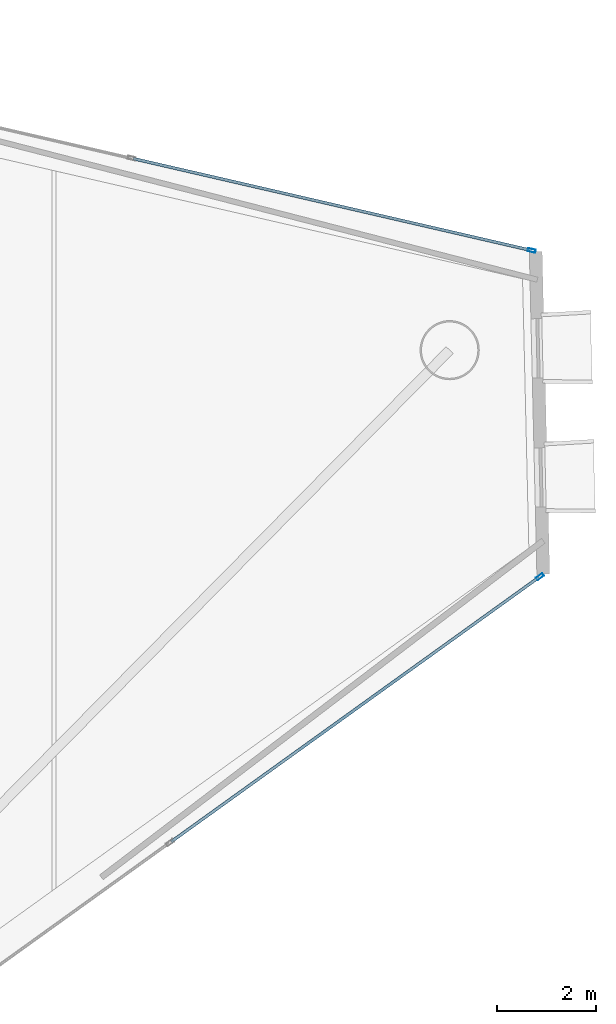
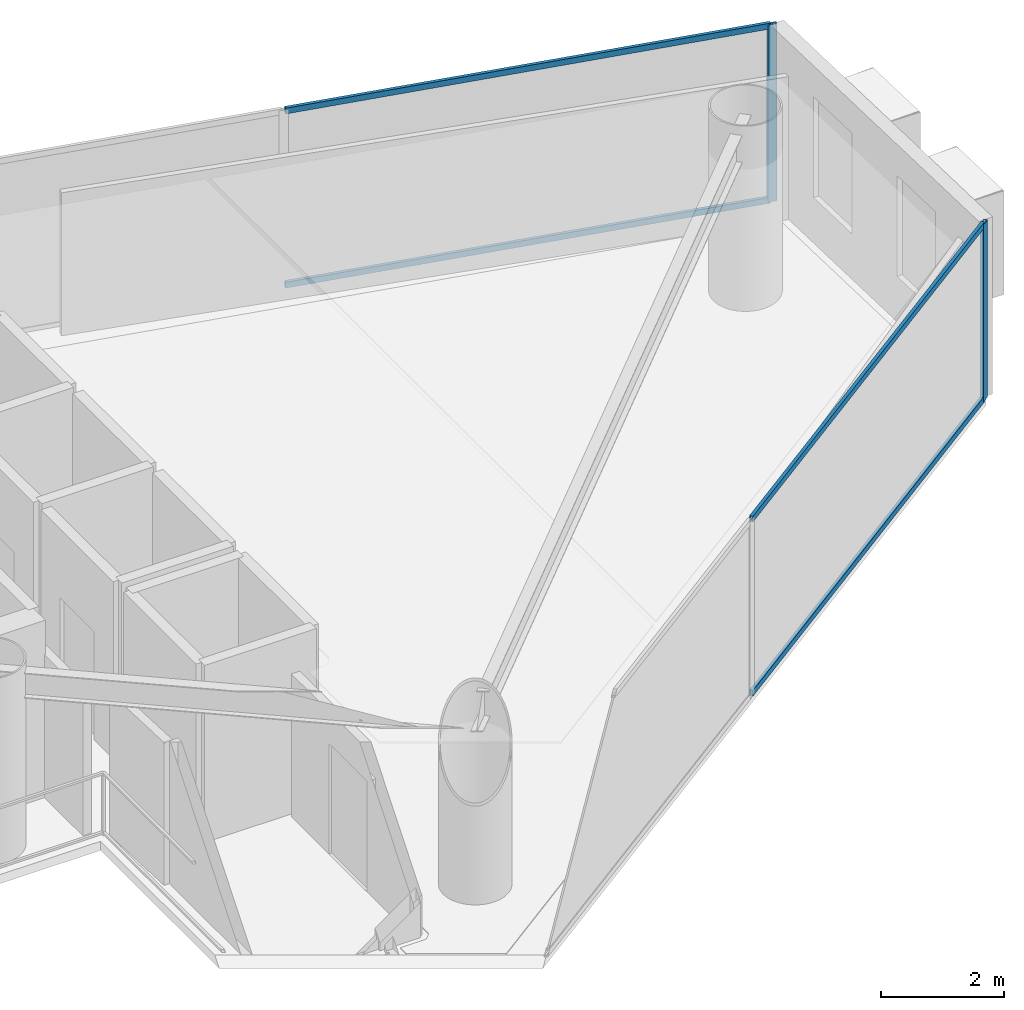
# One storey, part 14 of 22: 6 members, 2 elements without a shape of their own.
"""IFC4 building model written with IfcOpenShell, lengths in metres."""

import ifcopenshell
import ifcopenshell.guid

model = None  # the IFC model being written
_history = None  # IfcOwnerHistory: only IFC2X3 demands one
_inside = {}  # id of a spatial element -> (the spatial element, [elements in it])
_under = {}  # id of a project, library or spatial element -> (it, [spatial elements below it])
_declared = {}  # id of a project -> (the project, [libraries it declares])
_typed = {}  # id of a type object -> (the type object, [elements of that type])
_made_of = {}  # id of a material, layer set ... -> (it, [elements and type objects made of it])


def new_model(schema):
    """Start an empty IFC model of exactly this schema.

    Asked for "IFC4X3", IfcOpenShell would pick the latest addendum, in which some entities
    have other attributes; the version numbers below select the first issue.
    IFC2X3 requires an IfcOwnerHistory on every rooted entity: one is made here for all.
    """
    global model, _history
    if schema == "IFC4X3":
        model = ifcopenshell.file(schema_version=(4, 3, 0, 0))
    else:
        model = ifcopenshell.file(schema=schema)
    _inside.clear()
    _under.clear()
    _declared.clear()
    _typed.clear()
    _made_of.clear()
    _history = None
    if model.schema == "IFC2X3":
        org = make("IfcOrganization", Name="unknown")
        user = make(
            "IfcPersonAndOrganization",
            ThePerson=make("IfcPerson", FamilyName="unknown"),
            TheOrganization=org,
        )
        app = make(
            "IfcApplication",
            ApplicationDeveloper=org,
            Version="unknown",
            ApplicationFullName="unknown",
            ApplicationIdentifier="unknown",
        )
        _history = make(
            "IfcOwnerHistory",
            OwningUser=user,
            OwningApplication=app,
            ChangeAction="ADDED",
            CreationDate=0,
        )
    return model


def make(cls, **values):
    """One entity of the class cls with the attributes given. An attribute that is None is left unset."""
    return model.create_entity(
        cls, **{name: value for name, value in values.items() if value is not None}
    )


def rooted(cls, **values):
    """An entity with a GlobalId (a new one), such as an element, a storey or a relation."""
    return make(cls, GlobalId=ifcopenshell.guid.new(), OwnerHistory=_history, **values)


def si_unit(unit_type, name, prefix=None):
    """IfcSIUnit, for example si_unit("LENGTHUNIT", "METRE", prefix="MILLI")."""
    return make("IfcSIUnit", UnitType=unit_type, Prefix=prefix, Name=name)


def assignment(units):
    """IfcUnitAssignment: the units of a project."""
    return None if units is None else make("IfcUnitAssignment", Units=units)


def point(xyz):
    """IfcCartesianPoint."""
    return None if xyz is None else make("IfcCartesianPoint", Coordinates=xyz)


def direction(xyz):
    """IfcDirection."""
    return None if xyz is None else make("IfcDirection", DirectionRatios=xyz)


def frame(location, z_axis=None, x_axis=None):
    """IfcAxis2Placement3D, a coordinate frame: its origin and axes. An axis left out is left unset."""
    return make(
        "IfcAxis2Placement3D",
        Location=point(location),
        Axis=direction(z_axis),
        RefDirection=direction(x_axis),
    )


def frame_2d(location, x_axis=None):
    """IfcAxis2Placement2D, a coordinate frame in the plane: its origin and x axis."""
    return make(
        "IfcAxis2Placement2D", Location=point(location), RefDirection=direction(x_axis)
    )


def origin():
    """The frame at (0, 0, 0) with its axes left unset."""
    return frame((0.0, 0.0, 0.0))


def origin_2d():
    """The frame at (0, 0) in the plane with its x axis left unset."""
    return frame_2d((0.0, 0.0))


def place(relative_to, where):
    """IfcLocalPlacement: puts the frame where relative to a parent placement (None: the world)."""
    return make(
        "IfcLocalPlacement", PlacementRelTo=relative_to, RelativePlacement=where
    )


def context(
    kind, dimensions, precision=None, world=None, true_north=None, identifier=None
):
    """IfcGeometricRepresentationContext, for example the 3D "Model" context."""
    return make(
        "IfcGeometricRepresentationContext",
        ContextIdentifier=identifier,
        ContextType=kind,
        CoordinateSpaceDimension=dimensions,
        Precision=precision,
        WorldCoordinateSystem=world,
        TrueNorth=true_north,
    )


def subcontext(parent, identifier, kind, view, scale=None):
    """IfcGeometricRepresentationSubContext, for example "Body" below "Model"."""
    return make(
        "IfcGeometricRepresentationSubContext",
        ContextIdentifier=identifier,
        ContextType=kind,
        ParentContext=parent,
        TargetScale=scale,
        TargetView=view,
    )


def project(units=None, contexts=None):
    """IfcProject with its units and contexts."""
    return rooted(
        "IfcProject",
        Name="project",
        RepresentationContexts=contexts,
        UnitsInContext=assignment(units),
    )


def spatial(cls, under=None, at=None, **own):
    """A site, building, storey or space (cls), placed at a placement, below another one or the project."""
    s = rooted(cls, ObjectPlacement=at, **own)
    if under is not None:
        _under.setdefault(under.id(), (under, []))[1].append(s)
    return s


def profile(cls, at=None, kind="AREA", **sizes):
    """A parametric profile (cls). Its sizes go by their IFC names, for example OverallWidth=200.0."""
    return make(cls, ProfileType=kind, Position=at, **sizes)


def hollow_rectangle(**sizes):
    """IfcRectangleHollowProfileDef."""
    return profile("IfcRectangleHollowProfileDef", **sizes)


def extrude(swept, where, along, depth):
    """IfcExtrudedAreaSolid: the profile swept, set in the frame where, extruded along a direction by depth."""
    return make(
        "IfcExtrudedAreaSolid",
        SweptArea=swept,
        Position=where,
        ExtrudedDirection=direction(along),
        Depth=depth,
    )


def shape(context_of_items, identifier, shape_type, items):
    """IfcShapeRepresentation: the items that make up one representation, for example the "Body"."""
    return make(
        "IfcShapeRepresentation",
        ContextOfItems=context_of_items,
        RepresentationIdentifier=identifier,
        RepresentationType=shape_type,
        Items=items,
    )


def material(Name=None, Category=None):
    """IfcMaterial."""
    return make("IfcMaterial", Name=Name, Category=Category)


def layer(
    of_material, thickness, ventilated=None, Name=None, Category=None, Priority=None
):
    """IfcMaterialLayer: one layer of a wall or slab, of a material (None: an air gap)."""
    return make(
        "IfcMaterialLayer",
        Material=of_material,
        LayerThickness=thickness,
        IsVentilated=ventilated,
        Name=Name,
        Category=Category,
        Priority=Priority,
    )


def layer_set(layers, Name=None):
    """IfcMaterialLayerSet."""
    return make("IfcMaterialLayerSet", MaterialLayers=layers, LayerSetName=Name)


def material_profile(
    of_material, cross_section, Name=None, Category=None, Priority=None
):
    """IfcMaterialProfile: a cross section and its material."""
    return make(
        "IfcMaterialProfile",
        Name=Name,
        Material=of_material,
        Profile=cross_section,
        Priority=Priority,
        Category=Category,
    )


def profile_set(profiles, Name=None, composite=None):
    """IfcMaterialProfileSet."""
    return make(
        "IfcMaterialProfileSet",
        Name=Name,
        MaterialProfiles=profiles,
        CompositeProfile=composite,
    )


def made_of(thing, what):
    """Note that an element or type object is made of a material, layer set ...; save() writes the relation."""
    if what is not None:
        _made_of.setdefault(what.id(), (what, []))[1].append(thing)
    return thing


def type_object(cls, material=None, **own):
    """A type object (cls), such as IfcWallType, which elements share."""
    return made_of(rooted(cls, **own), material)


def element(
    cls,
    number,
    at=None,
    inside=None,
    cuts=None,
    type_object=None,
    material=None,
    context=None,
    identifier="Body",
    shape_type=None,
    held_by="IfcProductDefinitionShape",
    body=None,
    shapes=None,
    **own,
):
    """One element of the class cls, such as IfcWall. Its Tag is "e" and its number.

    at: its placement. inside: the storey or other place that contains it. cuts: it is an
    opening in that element (IfcRelVoidsElement). A single representation is given by context,
    identifier, shape_type and body (its items); several are given by shapes. held_by: the class
    of the entity that holds the representations. save() writes the other relations.
    """
    e = rooted(cls, Tag="e%d" % number, ObjectPlacement=at, **own)
    if body is not None:
        shapes = [shape(context, identifier, shape_type, body)]
    if shapes is not None:
        e.Representation = make(held_by, Representations=shapes)
    if inside is not None:
        _inside.setdefault(inside.id(), (inside, []))[1].append(e)
    if cuts is not None:
        rooted(
            "IfcRelVoidsElement", RelatingBuildingElement=cuts, RelatedOpeningElement=e
        )
    if type_object is not None:
        _typed.setdefault(type_object.id(), (type_object, []))[1].append(e)
    return made_of(e, material)


def aggregate(whole, parts):
    """IfcRelAggregates: a whole, such as a stair, and the parts it consists of."""
    return rooted("IfcRelAggregates", RelatingObject=whole, RelatedObjects=parts)


def save(model, path):
    """Write the relations noted so far, then the file.

    IfcRelAggregates (storeys below a building ...), IfcRelContainedInSpatialStructure (elements
    in a storey), IfcRelDefinesByType, IfcRelAssociatesMaterial and IfcRelDeclares: one each for
    every whole, place, type object, material and project.
    """
    for whole, parts in _under.values():
        aggregate(whole, parts)
    for where, things in _inside.values():
        rooted(
            "IfcRelContainedInSpatialStructure",
            RelatedElements=things,
            RelatingStructure=where,
        )
    for kind, things in _typed.values():
        rooted("IfcRelDefinesByType", RelatedObjects=things, RelatingType=kind)
    for what, things in _made_of.values():
        rooted("IfcRelAssociatesMaterial", RelatedObjects=things, RelatingMaterial=what)
    for by, libraries in _declared.values():
        rooted("IfcRelDeclares", RelatingContext=by, RelatedDefinitions=libraries)
    model.write(path)


model = new_model("IFC4")

# Units and contexts
model_context = context("Model", 3, precision=1e-05, world=origin(), true_north=direction((0.0, 1.0)))
body_context = subcontext(model_context, "Body", "Model", "MODEL_VIEW")
ifc_project = project(units=[si_unit("LENGTHUNIT", "METRE"), si_unit("AREAUNIT", "SQUARE_METRE"), si_unit("VOLUMEUNIT", "CUBIC_METRE"), si_unit("PLANEANGLEUNIT", "RADIAN"), si_unit("MASSUNIT", "GRAM", prefix="KILO")], contexts=[model_context])

# Site, building, storey
site_placement = place(None, origin())
site = spatial("IfcSite", under=ifc_project, at=site_placement, CompositionType="ELEMENT")
building_placement = place(site_placement, origin())
building = spatial("IfcBuilding", under=site, at=building_placement, Name="Qianvela Tower", CompositionType="ELEMENT")
storey_placement = place(building_placement, frame((0.0, 0.0, 196.60009765625)))
storey = spatial("IfcBuildingStorey", under=building, at=storey_placement, Name="L50", CompositionType="ELEMENT", Elevation=196.60009765625)

# Curtain wall, member
ifc_material_1 = material(Name="Anodised Architectural Aluminium and Low-E Glass", Category="aluminium")
ifc_layer = layer(ifc_material_1, 0.159912109375)
ifc_layer_set = layer_set([ifc_layer], Name="Anodised Architectural Aluminium and Low-E Glass")
curtain_wall_type = type_object("IfcCurtainWallType", Name="CW-COLIV-Z56", PredefinedType="USERDEFINED", material=ifc_layer_set)
curtain_wall_1_placement = place(storey_placement, origin())
curtain_wall_1 = element("IfcCurtainWall", 1, at=curtain_wall_1_placement, inside=storey, type_object=curtain_wall_type, Name="L50 CW-COLIV-Z56 Curtain Wall 02A", ObjectType="CURTAIN_WALL_SYSTEM", PredefinedType="USERDEFINED")
ifc_material_2 = material(Name="Anodised Architectural Aluminium 6063-T6", Category="aluminium")
ifc_material_profile_1 = material_profile(ifc_material_2, hollow_rectangle(XDim=0.06494140625, YDim=0.159912109375, WallThickness=0.0048828125, at=origin_2d()), Name="ALU-MULL-65x160")
ifc_profile_set_1 = profile_set([ifc_material_profile_1], Name="Anodised Architectural Aluminium 6063-T6")
member_type_1 = type_object("IfcMemberType", Name="CW-COLIV-Z56-MULL", PredefinedType="MULLION", material=ifc_profile_set_1)
member_1_placement = place(storey_placement, frame((58.560546875, 33.2880859375, 0.0), z_axis=(0.0, 0.0, 1.0), x_axis=(-0.224831517735, -0.974397654263, 0.0)))
member_1 = element("IfcMember", 2, at=member_1_placement, type_object=member_type_1, Name="CW-5 mullion 1", PredefinedType="MULLION", context=body_context, shape_type="SweptSolid", body=[
    extrude(hollow_rectangle(XDim=0.06494140625, YDim=0.159912109375, WallThickness=0.0048828125, at=origin_2d()), origin(), (0.0, 0.0, 1.0), 3.52001953125),
])

curtain_wall_2_placement = place(storey_placement, origin())
curtain_wall_2 = element("IfcCurtainWall", 3, at=curtain_wall_2_placement, inside=storey, type_object=curtain_wall_type, Name="L50 CW-COLIV-Z56 Curtain Wall 06B", ObjectType="CURTAIN_WALL_SYSTEM", PredefinedType="USERDEFINED")
member_2_placement = place(storey_placement, frame((58.726318359375, 26.68212890625, 0.0), z_axis=(0.0, 0.0, 1.0), x_axis=(-0.583724581505, 0.811951730676, 0.0)))
member_2 = element("IfcMember", 4, at=member_2_placement, type_object=member_type_1, Name="CW-5 mullion 4", PredefinedType="MULLION", context=body_context, shape_type="SweptSolid", body=[
    extrude(hollow_rectangle(XDim=0.06494140625, YDim=0.159912109375, WallThickness=0.0048828125, at=origin_2d()), origin(), (0.0, 0.0, 1.0), 3.52001953125),
])

# Member
ifc_material_3 = material(Name="Anodised Architectural Aluminium 6063-T6", Category="aluminium")
ifc_material_profile_2 = material_profile(ifc_material_3, hollow_rectangle(XDim=0.06005859375, YDim=0.114990234375, WallThickness=0.00390625, at=origin_2d()), Name="ALU-TRAN-60x115")
ifc_profile_set_2 = profile_set([ifc_material_profile_2], Name="Anodised Architectural Aluminium 6063-T6")
member_type_2 = type_object("IfcMemberType", Name="CW-COLIV-Z56-TRAN", PredefinedType="USERDEFINED", material=ifc_profile_set_2)
member_3_placement = place(storey_placement, frame((58.52880859375, 33.29541015625, 0.02978515625), z_axis=(-0.974403160815, 0.224807651548, 0.0), x_axis=(-0.224807651548, -0.974403160815, 0.0)))
member_3 = element("IfcMember", 5, at=member_3_placement, type_object=member_type_2, Name="CW-5 transom 1.1", ObjectType="TRANSOM", PredefinedType="USERDEFINED", context=body_context, shape_type="SweptSolid", body=[
    extrude(hollow_rectangle(XDim=0.06005859375, YDim=0.114990234375, WallThickness=0.00390625, at=origin_2d()), origin(), (0.0, 0.0, 1.0), 8.25244140625),
])

member_4_placement = place(storey_placement, frame((58.52880859375, 33.29541015625, 3.489990234375), z_axis=(-0.974403160815, 0.224807651548, 0.0), x_axis=(-0.224807651548, -0.974403160815, 0.0)))
member_4 = element("IfcMember", 6, at=member_4_placement, type_object=member_type_2, Name="CW-5 transom 1.2", ObjectType="TRANSOM", PredefinedType="USERDEFINED", context=body_context, shape_type="SweptSolid", body=[
    extrude(hollow_rectangle(XDim=0.06005859375, YDim=0.114990234375, WallThickness=0.00390625, at=origin_2d()), origin(), (0.0, 0.0, 1.0), 8.25244140625),
])

aggregate(curtain_wall_1, [member_1, member_3, member_4])

member_5_placement = place(storey_placement, frame((51.25830078125, 21.313232421875, 0.02978515625), z_axis=(0.811955006815, 0.58372002442, 0.0), x_axis=(-0.58372002442, 0.811955006815, 0.0)))
member_5 = element("IfcMember", 7, at=member_5_placement, type_object=member_type_2, Name="CW-5 transom 3.1", ObjectType="TRANSOM", PredefinedType="USERDEFINED", context=body_context, shape_type="SweptSolid", body=[
    extrude(hollow_rectangle(XDim=0.06005859375, YDim=0.114990234375, WallThickness=0.00390625, at=origin_2d()), origin(), (0.0, 0.0, 1.0), 9.1650390625),
])

member_6_placement = place(storey_placement, frame((51.25830078125, 21.313232421875, 3.489990234375), z_axis=(0.811955006815, 0.58372002442, 0.0), x_axis=(-0.58372002442, 0.811955006815, 0.0)))
member_6 = element("IfcMember", 8, at=member_6_placement, type_object=member_type_2, Name="CW-5 transom 3.2", ObjectType="TRANSOM", PredefinedType="USERDEFINED", context=body_context, shape_type="SweptSolid", body=[
    extrude(hollow_rectangle(XDim=0.06005859375, YDim=0.114990234375, WallThickness=0.00390625, at=origin_2d()), origin(), (0.0, 0.0, 1.0), 9.1650390625),
])

aggregate(curtain_wall_2, [member_2, member_5, member_6])

save(model, "model.ifc")
